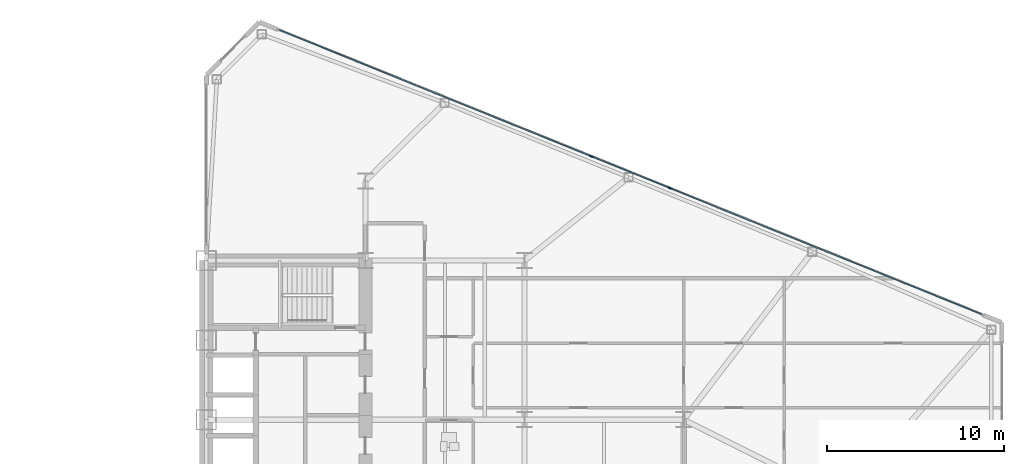
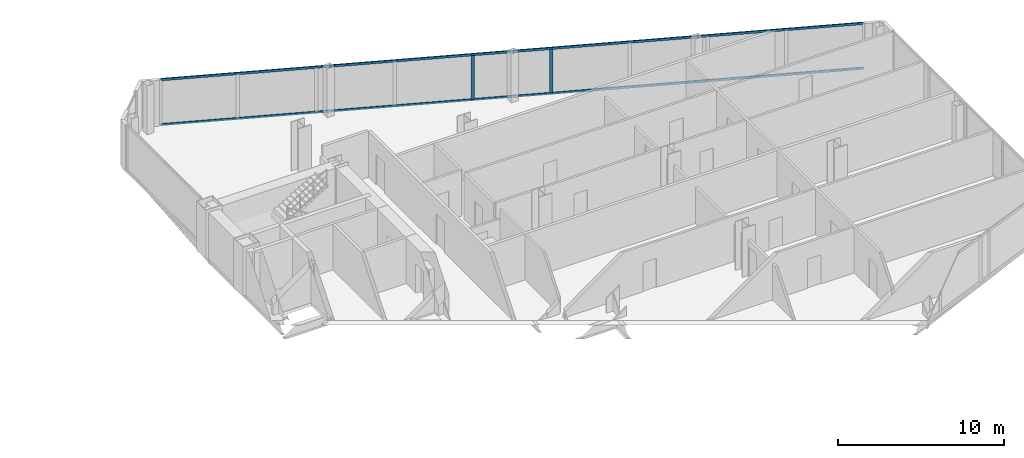
# One storey, part 12 of 25: 4 members, 1 element without a shape of its own.
"""IFC4 building model written with IfcOpenShell, lengths in metres."""

from ifc_helpers import new_model, si_unit, direction, frame, origin, origin_2d, place, context, subcontext, project, spatial, rectangle, extrude, source, transform, mapped, material, layer, layer_set, material_profile, profile_set, type_object, type_shapes, element, aggregate, save


model = new_model("IFC4")

# Units and contexts
model_context = context("Model", 3, precision=1e-05, world=origin(), true_north=direction((0.0, 1.0)))
body_context = subcontext(model_context, "Body", "Model", "MODEL_VIEW")
ifc_project = project(units=[si_unit("LENGTHUNIT", "METRE"), si_unit("AREAUNIT", "SQUARE_METRE"), si_unit("VOLUMEUNIT", "CUBIC_METRE"), si_unit("PLANEANGLEUNIT", "RADIAN"), si_unit("MASSUNIT", "GRAM", prefix="KILO")], contexts=[model_context])

# Site, building, storey
site_placement = place(None, origin())
site = spatial("IfcSite", under=ifc_project, at=site_placement, CompositionType="ELEMENT")
building_placement = place(site_placement, origin())
building = spatial("IfcBuilding", under=site, at=building_placement, Name="Seokmaru Belvedere", CompositionType="ELEMENT")
storey_placement = place(building_placement, frame((0.0, 0.0, 47.699951171875)))
storey = spatial("IfcBuildingStorey", under=building, at=storey_placement, Name="L12", CompositionType="ELEMENT", Elevation=47.699951171875)

# Curtain wall, members
ifc_material_1 = material(Name="Bronze Triple Insulating Glass", Category="glass")
ifc_layer = layer(ifc_material_1, 0.2099609375)
ifc_layer_set = layer_set([ifc_layer], Name="Bronze Triple Insulating Glass")
curtain_wall_type = type_object("IfcCurtainWallType", Name="Low-Rise Faceted Crystal Curtain Wall System CW-2", PredefinedType="NOTDEFINED", material=ifc_layer_set)
curtain_wall_placement = place(storey_placement, origin())
curtain_wall = element("IfcCurtainWall", 1, at=curtain_wall_placement, inside=storey, type_object=curtain_wall_type, Name="L12 Curtain Wall EF3", PredefinedType="NOTDEFINED")
ifc_material_2 = material(Name="Anodised Bronze Aluminium", Category="aluminium")
ifc_material_profile_1 = material_profile(ifc_material_2, rectangle(XDim=0.074951171875, YDim=0.2099609375, at=origin_2d()), Name="CW-M-75x210")
ifc_profile_set_1 = profile_set([ifc_material_profile_1], Name="Anodised Bronze Aluminium")
member_type_1 = type_object("IfcMemberType", Name="Bronze Unitised Mullion 75x210", PredefinedType="MULLION", material=ifc_profile_set_1)
shared_shape_1 = source(origin(), body_context, "Body", "SweptSolid", [
    extrude(rectangle(XDim=0.074951171875, YDim=0.2099609375, at=origin_2d()), origin(), (0.0, 0.0, 1.0), 3.239990234375),
])
type_shapes(member_type_1, [shared_shape_1])
member_1_placement = place(storey_placement, frame((53.71484375, 17.603515625, 0.070068359375), z_axis=(0.0, 0.0, 1.0), x_axis=(-0.375192321888, -0.926946989637, 0.0)))
member_1 = element("IfcMember", 2, at=member_1_placement, type_object=member_type_1, Name="CW:L12:EF3 Mullion 5", PredefinedType="MULLION", context=body_context, shape_type="MappedRepresentation", body=[
    mapped(shared_shape_1, transform((0.0, 0.0, 0.0), scale=1.0)),
])
member_2_placement = place(storey_placement, frame((49.28515625, 19.396484375, 0.070068359375), z_axis=(0.0, 0.0, 1.0), x_axis=(-0.375192321888, -0.926946989637, 0.0)))
member_2 = element("IfcMember", 3, at=member_2_placement, type_object=member_type_1, Name="CW:L12:EF3 Mullion 6", PredefinedType="MULLION", context=body_context, shape_type="MappedRepresentation", body=[
    mapped(shared_shape_1, transform((0.0, 0.0, 0.0), scale=1.0)),
])
ifc_material_profile_2 = material_profile(ifc_material_2, rectangle(XDim=0.070068359375, YDim=0.1650390625, at=origin_2d()), Name="CW-T-70x165")
ifc_profile_set_2 = profile_set([ifc_material_profile_2], Name="Anodised Bronze Aluminium")
member_type_2 = type_object("IfcMemberType", Name="Bronze Unitised Transom 70x165", PredefinedType="USERDEFINED", material=ifc_profile_set_2)
shared_shape_2 = source(origin(), body_context, "Body", "SweptSolid", [
    extrude(rectangle(XDim=0.070068359375, YDim=0.1650390625, at=origin_2d()), origin(), (0.0, 0.0, 1.0), 42.860107421875),
])
type_shapes(member_type_2, [shared_shape_2])
member_3_placement = place(storey_placement, frame((71.364501953125, 10.459716796875, 0.03515625), z_axis=(-0.926948605599, 0.375188329481, 0.0), x_axis=(-0.375188329481, -0.926948605599, 0.0)))
member_3 = element("IfcMember", 4, at=member_3_placement, type_object=member_type_2, Name="CW:L12:EF3 Continuous Transom 1", ObjectType="TRANSOM", PredefinedType="USERDEFINED", context=body_context, shape_type="MappedRepresentation", body=[
    mapped(shared_shape_2, transform((0.0, 0.0, 0.0), scale=1.0)),
])
member_4_placement = place(storey_placement, frame((71.364501953125, 10.459716796875, 3.344970703125), z_axis=(-0.926948605599, 0.375188329481, 0.0), x_axis=(-0.375188329481, -0.926948605599, 0.0)))
member_4 = element("IfcMember", 5, at=member_4_placement, type_object=member_type_2, Name="CW:L12:EF3 Continuous Transom 2", ObjectType="TRANSOM", PredefinedType="USERDEFINED", context=body_context, shape_type="MappedRepresentation", body=[
    mapped(shared_shape_2, transform((0.0, 0.0, 0.0), scale=1.0)),
])
aggregate(curtain_wall, [member_1, member_2, member_3, member_4])

save(model, "model.ifc")
